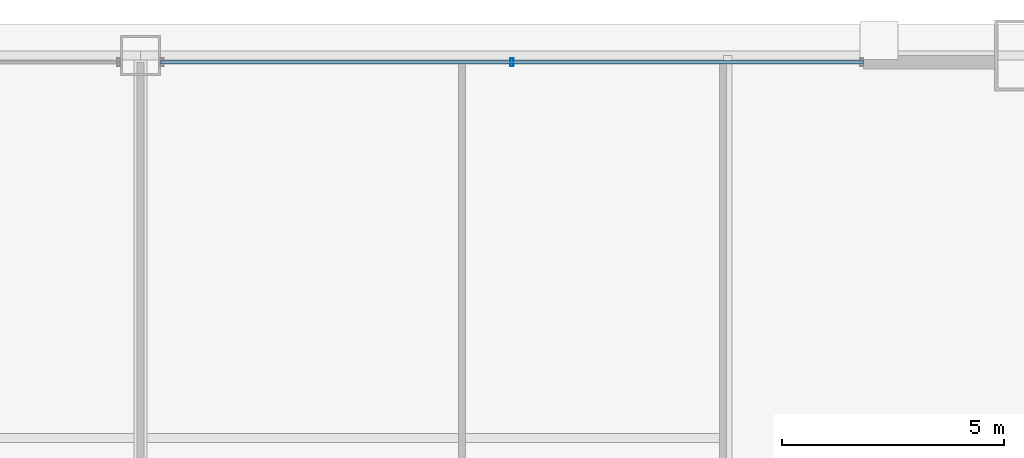
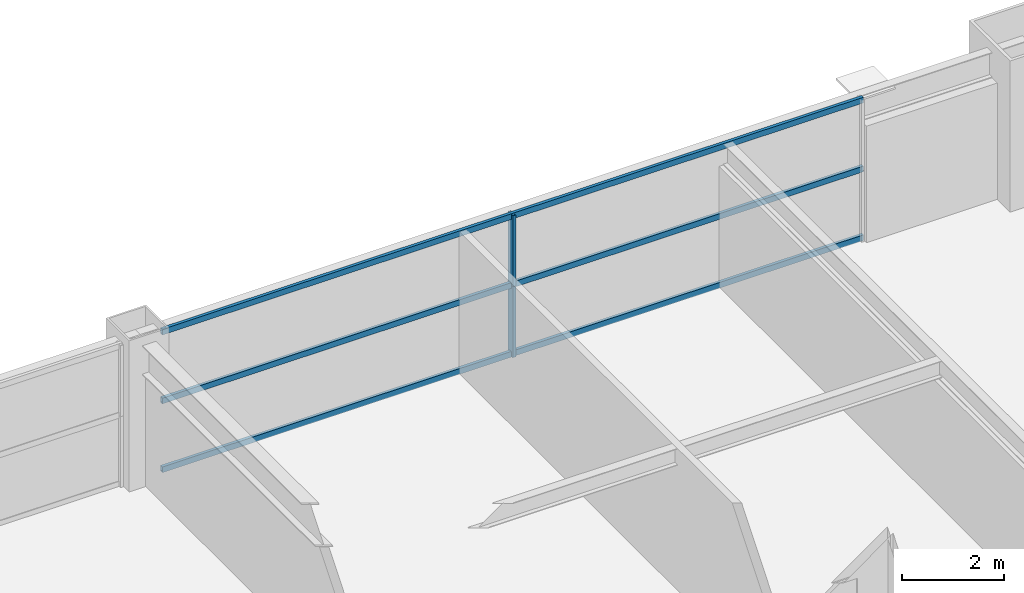
# One storey, part 31 of 39: 5 members, 1 element without a shape of its own.
"""IFC4 building model written with IfcOpenShell, lengths in metres."""

from ifc_helpers import new_model, si_unit, direction, frame, origin, origin_2d, place, context, subcontext, project, spatial, hollow_rectangle, extrude, source, transform, mapped, material, layer, layer_set, material_profile, profile_set, type_object, element, aggregate, save


model = new_model("IFC4")

# Units and contexts
model_context = context("Model", 3, precision=1e-05, world=origin(), true_north=direction((0.0, 1.0)))
body_context = subcontext(model_context, "Body", "Model", "MODEL_VIEW")
ifc_project = project(units=[si_unit("LENGTHUNIT", "METRE"), si_unit("AREAUNIT", "SQUARE_METRE"), si_unit("VOLUMEUNIT", "CUBIC_METRE"), si_unit("PLANEANGLEUNIT", "RADIAN"), si_unit("MASSUNIT", "GRAM", prefix="KILO"), si_unit("THERMODYNAMICTEMPERATUREUNIT", "KELVIN"), si_unit("POWERUNIT", "WATT")], contexts=[model_context])

# Site, building, storey
site_placement = place(None, origin())
site = spatial("IfcSite", under=ifc_project, at=site_placement, CompositionType="ELEMENT")
building_placement = place(site_placement, origin())
building = spatial("IfcBuilding", under=site, at=building_placement, Name="Yuzanri Waterfront Tower", CompositionType="ELEMENT")
storey_placement = place(building_placement, frame((0.0, 0.0, 156.0)))
storey = spatial("IfcBuildingStorey", under=building, at=storey_placement, Name="L41", CompositionType="ELEMENT", Elevation=156.0)

# Curtain wall, members
ifc_material_1 = material(Name="Anodized Architectural Bronze", Category="metal")
ifc_layer = layer(ifc_material_1, 0.159912109375)
ifc_layer_set = layer_set([ifc_layer], Name="Anodized Architectural Bronze")
curtain_wall_type = type_object("IfcCurtainWallType", Name="Anodized Bronze Hotel Upper-Tier Solar-Control Unitized Curtain Wall 7800", PredefinedType="NOTDEFINED", material=ifc_layer_set)
curtain_wall_placement = place(storey_placement, origin())
curtain_wall = element("IfcCurtainWall", 1, at=curtain_wall_placement, inside=storey, type_object=curtain_wall_type, Name="L41 Curtain Wall CW-L41-NR", PredefinedType="NOTDEFINED")
ifc_material_2 = material(Name="Anodized Architectural Bronze", Category="metal")
ifc_material_profile_1 = material_profile(ifc_material_2, hollow_rectangle(XDim=0.070068359375, YDim=0.179931640625, WallThickness=0.00390625, at=origin_2d()), Name="CWM 70x180")
ifc_profile_set_1 = profile_set([ifc_material_profile_1], Name="Anodized Architectural Bronze")
member_type_1 = type_object("IfcMemberType", Name="Anodized Bronze Standard Curtain-Wall Mullion 70x180", PredefinedType="MULLION", material=ifc_profile_set_1)
shared_shape_1 = source(origin(), body_context, "Body", "SweptSolid", [
    extrude(hollow_rectangle(XDim=0.070068359375, YDim=0.179931640625, WallThickness=0.00390625, at=origin_2d()), origin(), (0.0, 0.0, 1.0), 1.68798828125),
])
member_1_placement = place(storey_placement, frame((45.35009765625, 49.25, 0.0), z_axis=(0.0, 0.0, 1.0), x_axis=(1.0, 0.0, 0.0)))
member_1 = element("IfcMember", 2, at=member_1_placement, type_object=member_type_1, Name="CW-L41-NR Lower Mullion 01", PredefinedType="MULLION", context=body_context, shape_type="MappedRepresentation", body=[
    mapped(shared_shape_1, transform((0.0, 0.0, 0.0), scale=1.0)),
])
member_2_placement = place(storey_placement, frame((45.35009765625, 49.25, 1.69189453125), z_axis=(0.0, 0.0, 1.0), x_axis=(1.0, 0.0, 0.0)))
member_2 = element("IfcMember", 3, at=member_2_placement, type_object=member_type_1, Name="CW-L41-NR Upper Mullion 01", PredefinedType="MULLION", context=body_context, shape_type="MappedRepresentation", body=[
    mapped(shared_shape_1, transform((0.0, 0.0, 0.0), scale=1.0)),
])
ifc_material_3 = material(Name="Anodized Architectural Bronze", Category="metal")
ifc_material_profile_2 = material_profile(ifc_material_3, hollow_rectangle(XDim=0.070068359375, YDim=0.135009765625, WallThickness=0.00341796875, at=origin_2d()), Name="CWT 70x135")
ifc_profile_set_2 = profile_set([ifc_material_profile_2], Name="Anodized Architectural Bronze")
member_type_2 = type_object("IfcMemberType", Name="Anodized Bronze Standard Curtain-Wall Transom 70x135", PredefinedType="USERDEFINED", material=ifc_profile_set_2)
shared_shape_2 = source(origin(), body_context, "Body", "SweptSolid", [
    extrude(hollow_rectangle(XDim=0.070068359375, YDim=0.135009765625, WallThickness=0.00341796875, at=origin_2d()), origin(), (0.0, 0.0, 1.0), 15.800048828125),
])
member_3_placement = place(storey_placement, frame((37.449951171875, 49.25, 0.050048828125), z_axis=(1.0, 0.0, 0.0), x_axis=(0.0, 1.0, 0.0)))
member_3 = element("IfcMember", 4, at=member_3_placement, type_object=member_type_2, Name="CW-L41-NR Transom 1", ObjectType="TRANSOM", PredefinedType="USERDEFINED", context=body_context, shape_type="MappedRepresentation", body=[
    mapped(shared_shape_2, transform((0.0, 0.0, 0.0), scale=1.0)),
])
member_4_placement = place(storey_placement, frame((37.449951171875, 49.25, 1.68994140625), z_axis=(1.0, 0.0, 0.0), x_axis=(0.0, 1.0, 0.0)))
member_4 = element("IfcMember", 5, at=member_4_placement, type_object=member_type_2, Name="CW-L41-NR Transom 2", ObjectType="TRANSOM", PredefinedType="USERDEFINED", context=body_context, shape_type="MappedRepresentation", body=[
    mapped(shared_shape_2, transform((0.0, 0.0, 0.0), scale=1.0)),
])
member_5_placement = place(storey_placement, frame((37.449951171875, 49.25, 3.330078125), z_axis=(1.0, 0.0, 0.0), x_axis=(0.0, 1.0, 0.0)))
member_5 = element("IfcMember", 6, at=member_5_placement, type_object=member_type_2, Name="CW-L41-NR Transom 3", ObjectType="TRANSOM", PredefinedType="USERDEFINED", context=body_context, shape_type="MappedRepresentation", body=[
    mapped(shared_shape_2, transform((0.0, 0.0, 0.0), scale=1.0)),
])
aggregate(curtain_wall, [member_1, member_2, member_3, member_4, member_5])

save(model, "model.ifc")
